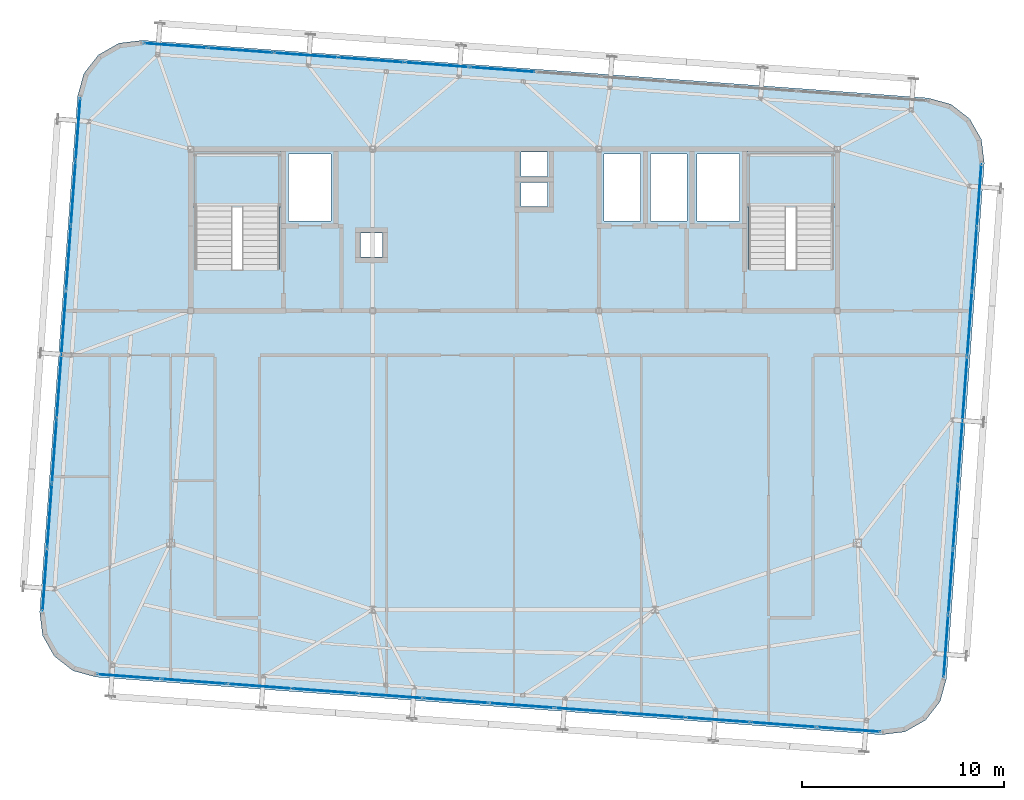
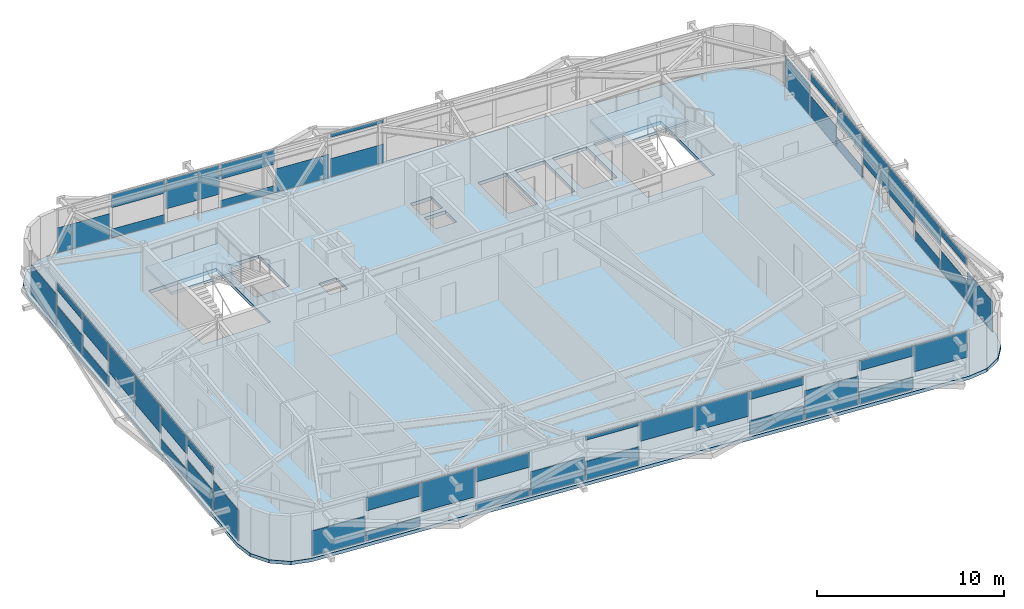
# One storey, part 29 of 42: 50 plates, 3 slabs, 6 elements without a shape of their own.
"""IFC4 building model written with IfcOpenShell, lengths in metres."""

from ifc_helpers import new_model, si_unit, direction, frame, origin, origin_2d, place, context, subcontext, project, spatial, polyline, rectangle, outline, extrude, source, transform, mapped, material, layer, layer_set, type_object, element, aggregate, save


model = new_model("IFC4")

# Units and contexts
model_context = context("Model", 3, precision=1e-05, world=origin(), true_north=direction((0.0, 1.0)))
body_context = subcontext(model_context, "Body", "Model", "MODEL_VIEW")
ifc_project = project(units=[si_unit("LENGTHUNIT", "METRE"), si_unit("AREAUNIT", "SQUARE_METRE"), si_unit("VOLUMEUNIT", "CUBIC_METRE"), si_unit("PLANEANGLEUNIT", "RADIAN"), si_unit("MASSUNIT", "GRAM", prefix="KILO")], contexts=[model_context])

# Site, building, storey
site_placement = place(None, origin())
site = spatial("IfcSite", under=ifc_project, at=site_placement, CompositionType="ELEMENT")
building_placement = place(site_placement, origin())
building = spatial("IfcBuilding", under=site, at=building_placement, Name="Taldren Reach Tower", CompositionType="ELEMENT")
storey_placement = place(building_placement, frame((0.0, 0.0, 220.85009765625)))
storey = spatial("IfcBuildingStorey", under=building, at=storey_placement, Name="L67", CompositionType="ELEMENT", Elevation=220.85009765625)

# Slab
ifc_material_1 = material(Name="Concrete N40 (40 MPa)", Category="concrete")
ifc_layer_1 = layer(ifc_material_1, 0.219970703125)
ifc_layer_set_1 = layer_set([ifc_layer_1], Name="Concrete N40 (40 MPa)")
slab_type_1 = type_object("IfcSlabType", Name="SL-FLR-220", PredefinedType="FLOOR", material=ifc_layer_set_1)
slab_1_placement = place(storey_placement, frame((0.0, 0.0, -0.22021484375)))
element("IfcSlab", 1, at=slab_1_placement, inside=storey, type_object=slab_type_1, Name="Suspended floor slab L67", PredefinedType="FLOOR", context=body_context, shape_type="SweptSolid", body=[
    extrude(outline(polyline([(53.1904296875, 3.014404296875), (54.35205078125, 3.157958984375), (55.370361328125, 3.7353515625), (56.09033203125, 4.658203125), (56.402099609375, 5.78662109375), (58.277099609375, 31.31787109375), (58.13330078125, 32.4794921875), (57.55615234375, 33.497802734375), (56.633056640625, 34.217529296875), (55.5048828125, 34.529541015625), (16.609619140625, 37.3857421875), (15.44775390625, 37.241943359375), (14.429443359375, 36.664794921875), (13.709716796875, 35.74169921875), (13.39794921875, 34.613525390625), (11.52294921875, 9.082275390625), (11.666748046875, 7.920654296875), (12.243896484375, 6.90234375), (13.1669921875, 6.182373046875), (14.295166015625, 5.87060546875), (53.1904296875, 3.014404296875)]), holes=[polyline([(19.219970703125, 26.050048828125), (23.3798828125, 26.050048828125), (23.3798828125, 31.820068359375), (19.219970703125, 31.820068359375), (19.219970703125, 26.050048828125)]), polyline([(46.6201171875, 26.050048828125), (50.780029296875, 26.050048828125), (50.780029296875, 31.820068359375), (46.6201171875, 31.820068359375), (46.6201171875, 26.050048828125)]), polyline([(23.85009765625, 28.449951171875), (25.949951171875, 28.449951171875), (25.949951171875, 31.75), (23.85009765625, 31.75), (23.85009765625, 28.449951171875)]), polyline([(44.050048828125, 28.449951171875), (46.14990234375, 28.449951171875), (46.14990234375, 31.75), (44.050048828125, 31.75), (44.050048828125, 28.449951171875)]), polyline([(39.449951171875, 28.449951171875), (41.25, 28.449951171875), (41.25, 31.75), (39.449951171875, 31.75), (39.449951171875, 28.449951171875)]), polyline([(41.75, 28.449951171875), (43.550048828125, 28.449951171875), (43.550048828125, 31.75), (41.75, 31.75), (41.75, 28.449951171875)]), polyline([(35.35009765625, 30.64990234375), (36.64990234375, 30.64990234375), (36.64990234375, 31.85009765625), (35.35009765625, 31.85009765625), (35.35009765625, 30.64990234375)]), polyline([(35.35009765625, 29.14990234375), (36.64990234375, 29.14990234375), (36.64990234375, 30.35009765625), (35.35009765625, 30.35009765625), (35.35009765625, 29.14990234375)]), polyline([(27.39990234375, 26.64990234375), (28.5, 26.64990234375), (28.5, 27.85009765625), (27.39990234375, 27.85009765625), (27.39990234375, 26.64990234375)])]), origin(), (0.0, 0.0, 1.0), 0.22021484375),
])

# Stair, slab
ifc_material_2 = material(Name="Concrete S50 (50 MPa)", Category="concrete")
stair_type = type_object("IfcStairType", Name="ST-HT-315", PredefinedType="HALF_TURN_STAIR", material=ifc_material_2)
stair_1_placement = place(storey_placement, origin())
stair_1 = element("IfcStair", 2, at=stair_1_placement, inside=storey, type_object=stair_type, Name="Fire-isolated exit stair ST1 L67", PredefinedType="HALF_TURN_STAIR")
ifc_layer_2 = layer(ifc_material_2, 0.179931640625)
ifc_layer_set_2 = layer_set([ifc_layer_2], Name="Concrete S50 (50 MPa)")
slab_type_2 = type_object("IfcSlabType", Name="SL-LAND-180", PredefinedType="LANDING", material=ifc_layer_set_2)
slab_2_placement = place(storey_placement, frame((0.0, 0.0, 1.39501953125)))
slab_2 = element("IfcSlab", 3, at=slab_2_placement, type_object=slab_type_2, Name="ST1 landing 1", PredefinedType="LANDING", context=body_context, shape_type="SweptSolid", body=[
    extrude(outline(polyline([(19.0400390625, 29.135009765625), (23.56005859375, 29.135009765625), (23.56005859375, 31.8701171875), (19.0400390625, 31.8701171875), (19.0400390625, 29.135009765625)])), origin(), (0.0, 0.0, 1.0), 0.179931640625),
])
aggregate(stair_1, [slab_2])

stair_2_placement = place(storey_placement, origin())
stair_2 = element("IfcStair", 4, at=stair_2_placement, inside=storey, type_object=stair_type, Name="Fire-isolated exit stair ST2 L67", PredefinedType="HALF_TURN_STAIR")
slab_3_placement = place(storey_placement, frame((0.0, 0.0, 1.39501953125)))
slab_3 = element("IfcSlab", 5, at=slab_3_placement, type_object=slab_type_2, Name="ST2 landing 1", PredefinedType="LANDING", context=body_context, shape_type="SweptSolid", body=[
    extrude(outline(polyline([(46.43994140625, 29.135009765625), (50.9599609375, 29.135009765625), (50.9599609375, 31.8701171875), (46.43994140625, 31.8701171875), (46.43994140625, 29.135009765625)])), origin(), (0.0, 0.0, 1.0), 0.179931640625),
])
aggregate(stair_2, [slab_3])

# Curtain wall, plate
ifc_material_3 = material(Name="Aluminium and Low-E Glass Unitised System", Category="aluminium")
ifc_layer_3 = layer(ifc_material_3, 0.159912109375)
ifc_layer_set_3 = layer_set([ifc_layer_3], Name="Aluminium and Low-E Glass Unitised System")
curtain_wall_type = type_object("IfcCurtainWallType", Name="CW-SYS-6", PredefinedType="NOTDEFINED", material=ifc_layer_set_3)
curtain_wall_1_placement = place(storey_placement, origin())
curtain_wall_1 = element("IfcCurtainWall", 6, at=curtain_wall_1_placement, inside=storey, type_object=curtain_wall_type, Name="Unitised curtain wall CW-L67-S", PredefinedType="NOTDEFINED")
ifc_material_4 = material(Name="Acoustic Triple-Laminated IGU", Category="glass")
ifc_layer_4 = layer(ifc_material_4, 0.035888671875)
ifc_layer_set_4 = layer_set([ifc_layer_4], Name="Acoustic Triple-Laminated IGU")
plate_type = type_object("IfcPlateType", Name="CW-PNL-IGU36", PredefinedType="CURTAIN_PANEL", material=ifc_layer_set_4)
shared_shape_1 = source(origin(), body_context, "Body", "SweptSolid", [
    extrude(rectangle(XDim=3.137451171875, YDim=0.035888671875, at=origin_2d()), origin(), (0.0, 0.0, 1.0), 1.63037109375),
])
plate_1_placement = place(storey_placement, frame((15.94482421875, 5.889892578125, 0.059814453125), z_axis=(0.0, 0.0, 1.0), x_axis=(0.997314476006, -0.073238213716, 0.0)))
plate_1 = element("IfcPlate", 7, at=plate_1_placement, type_object=plate_type, Name="CW-6 panel 1.1 part 1", PredefinedType="CURTAIN_PANEL", context=body_context, shape_type="MappedRepresentation", body=[
    mapped(shared_shape_1, transform((0.0, 0.0, 0.0), scale=1.0)),
])

curtain_wall_2_placement = place(storey_placement, origin())
curtain_wall_2 = element("IfcCurtainWall", 8, at=curtain_wall_2_placement, inside=storey, type_object=curtain_wall_type, Name="Unitised curtain wall CW-L67-N", PredefinedType="NOTDEFINED")
plate_2_placement = place(storey_placement, frame((18.238525390625, 37.125732421875, 0.059814453125), z_axis=(0.0, 0.0, 1.0), x_axis=(-0.997314476006, 0.073238213716, 0.0)))
plate_2 = element("IfcPlate", 9, at=plate_2_placement, type_object=plate_type, Name="CW-6 panel 12.1 part 1", PredefinedType="CURTAIN_PANEL", context=body_context, shape_type="MappedRepresentation", body=[
    mapped(shared_shape_1, transform((0.0, 0.0, 0.0), scale=1.0)),
])

# Plate
shared_shape_2 = source(origin(), body_context, "Body", "SweptSolid", [
    extrude(rectangle(XDim=3.175048828125, YDim=0.035888671875, at=origin_2d()), origin(), (0.0, 0.0, 1.0), 0.574462890625),
])
plate_3_placement = place(storey_placement, frame((19.16748046875, 5.653076171875, 0.06005859375), z_axis=(0.0, 0.0, 1.0), x_axis=(0.997314476006, -0.073238213716, 0.0)))
plate_3 = element("IfcPlate", 10, at=plate_3_placement, type_object=plate_type, Name="CW-6 panel 2.1 part 1", PredefinedType="CURTAIN_PANEL", context=body_context, shape_type="MappedRepresentation", body=[
    mapped(shared_shape_2, transform((0.0, 0.0, 0.0), scale=1.0)),
])

plate_4_placement = place(storey_placement, frame((21.461181640625, 36.88916015625, 0.06005859375), z_axis=(0.0, 0.0, 1.0), x_axis=(-0.997314476006, 0.073238213716, 0.0)))
plate_4 = element("IfcPlate", 11, at=plate_4_placement, type_object=plate_type, Name="CW-6 panel 11.1 part 1", PredefinedType="CURTAIN_PANEL", context=body_context, shape_type="MappedRepresentation", body=[
    mapped(shared_shape_2, transform((0.0, 0.0, 0.0), scale=1.0)),
])

shared_shape_3 = source(origin(), body_context, "Body", "SweptSolid", [
    extrude(rectangle(XDim=3.175048828125, YDim=0.035888671875, at=origin_2d()), origin(), (0.0, 0.0, 1.0), 0.852294921875),
])
plate_5_placement = place(storey_placement, frame((19.16748046875, 5.653076171875, 2.017578125), z_axis=(0.0, 0.0, 1.0), x_axis=(0.997314476006, -0.073238213716, 0.0)))
plate_5 = element("IfcPlate", 12, at=plate_5_placement, type_object=plate_type, Name="CW-6 panel 2.1 part 2", PredefinedType="CURTAIN_PANEL", context=body_context, shape_type="MappedRepresentation", body=[
    mapped(shared_shape_3, transform((0.0, 0.0, 0.0), scale=1.0)),
])

plate_6_placement = place(storey_placement, frame((21.461181640625, 36.88916015625, 2.017578125), z_axis=(0.0, 0.0, 1.0), x_axis=(-0.997314476006, 0.073238213716, 0.0)))
plate_6 = element("IfcPlate", 13, at=plate_6_placement, type_object=plate_type, Name="CW-6 panel 11.1 part 2", PredefinedType="CURTAIN_PANEL", context=body_context, shape_type="MappedRepresentation", body=[
    mapped(shared_shape_3, transform((0.0, 0.0, 0.0), scale=1.0)),
])

shared_shape_4 = source(origin(), body_context, "Body", "SweptSolid", [
    extrude(rectangle(XDim=3.175048828125, YDim=0.035888671875, at=origin_2d()), origin(), (0.0, 0.0, 1.0), 1.907958984375),
])
plate_7_placement = place(storey_placement, frame((22.40869140625, 5.4150390625, 0.9619140625), z_axis=(0.0, 0.0, 1.0), x_axis=(0.997314476006, -0.073238213716, 0.0)))
plate_7 = element("IfcPlate", 14, at=plate_7_placement, type_object=plate_type, Name="CW-6 panel 3.1 part 1", PredefinedType="CURTAIN_PANEL", context=body_context, shape_type="MappedRepresentation", body=[
    mapped(shared_shape_4, transform((0.0, 0.0, 0.0), scale=1.0)),
])

plate_8_placement = place(storey_placement, frame((24.702392578125, 36.651123046875, 0.9619140625), z_axis=(0.0, 0.0, 1.0), x_axis=(-0.997314476006, 0.073238213716, 0.0)))
plate_8 = element("IfcPlate", 15, at=plate_8_placement, type_object=plate_type, Name="CW-6 panel 10.1 part 1", PredefinedType="CURTAIN_PANEL", context=body_context, shape_type="MappedRepresentation", body=[
    mapped(shared_shape_4, transform((0.0, 0.0, 0.0), scale=1.0)),
])

shared_shape_5 = source(origin(), body_context, "Body", "SweptSolid", [
    extrude(rectangle(XDim=3.175048828125, YDim=0.035888671875, at=origin_2d()), origin(), (0.0, 0.0, 1.0), 0.473876953125),
])
plate_9_placement = place(storey_placement, frame((25.64990234375, 5.177001953125, 0.06005859375), z_axis=(0.0, 0.0, 1.0), x_axis=(0.997314476006, -0.073238213716, 0.0)))
plate_9 = element("IfcPlate", 16, at=plate_9_placement, type_object=plate_type, Name="CW-6 panel 4.1 part 1", PredefinedType="CURTAIN_PANEL", context=body_context, shape_type="MappedRepresentation", body=[
    mapped(shared_shape_5, transform((0.0, 0.0, 0.0), scale=1.0)),
])

plate_10_placement = place(storey_placement, frame((27.94384765625, 36.4130859375, 0.06005859375), z_axis=(0.0, 0.0, 1.0), x_axis=(-0.997314476006, 0.073238213716, 0.0)))
plate_10 = element("IfcPlate", 17, at=plate_10_placement, type_object=plate_type, Name="CW-6 panel 9.1 part 1", PredefinedType="CURTAIN_PANEL", context=body_context, shape_type="MappedRepresentation", body=[
    mapped(shared_shape_5, transform((0.0, 0.0, 0.0), scale=1.0)),
])

shared_shape_6 = source(origin(), body_context, "Body", "SweptSolid", [
    extrude(rectangle(XDim=3.175048828125, YDim=0.035888671875, at=origin_2d()), origin(), (0.0, 0.0, 1.0), 0.952880859375),
])
plate_11_placement = place(storey_placement, frame((25.64990234375, 5.177001953125, 1.9169921875), z_axis=(0.0, 0.0, 1.0), x_axis=(0.997314476006, -0.073238213716, 0.0)))
plate_11 = element("IfcPlate", 18, at=plate_11_placement, type_object=plate_type, Name="CW-6 panel 4.1 part 2", PredefinedType="CURTAIN_PANEL", context=body_context, shape_type="MappedRepresentation", body=[
    mapped(shared_shape_6, transform((0.0, 0.0, 0.0), scale=1.0)),
])

plate_12_placement = place(storey_placement, frame((27.94384765625, 36.4130859375, 1.9169921875), z_axis=(0.0, 0.0, 1.0), x_axis=(-0.997314476006, 0.073238213716, 0.0)))
plate_12 = element("IfcPlate", 19, at=plate_12_placement, type_object=plate_type, Name="CW-6 panel 9.1 part 2", PredefinedType="CURTAIN_PANEL", context=body_context, shape_type="MappedRepresentation", body=[
    mapped(shared_shape_6, transform((0.0, 0.0, 0.0), scale=1.0)),
])

shared_shape_7 = source(origin(), body_context, "Body", "SweptSolid", [
    extrude(rectangle(XDim=3.175048828125, YDim=0.035888671875, at=origin_2d()), origin(), (0.0, 0.0, 1.0), 1.52978515625),
])
plate_13_placement = place(storey_placement, frame((28.89111328125, 4.939208984375, 0.059814453125), z_axis=(0.0, 0.0, 1.0), x_axis=(0.997314476006, -0.073238213716, 0.0)))
plate_13 = element("IfcPlate", 20, at=plate_13_placement, type_object=plate_type, Name="CW-6 panel 5.1 part 1", PredefinedType="CURTAIN_PANEL", context=body_context, shape_type="MappedRepresentation", body=[
    mapped(shared_shape_7, transform((0.0, 0.0, 0.0), scale=1.0)),
])

plate_14_placement = place(storey_placement, frame((31.18505859375, 36.175048828125, 0.059814453125), z_axis=(0.0, 0.0, 1.0), x_axis=(-0.997314476006, 0.073238213716, 0.0)))
plate_14 = element("IfcPlate", 21, at=plate_14_placement, type_object=plate_type, Name="CW-6 panel 8.1 part 1", PredefinedType="CURTAIN_PANEL", context=body_context, shape_type="MappedRepresentation", body=[
    mapped(shared_shape_7, transform((0.0, 0.0, 0.0), scale=1.0)),
])

shared_shape_8 = source(origin(), body_context, "Body", "SweptSolid", [
    extrude(rectangle(XDim=3.175048828125, YDim=0.035888671875, at=origin_2d()), origin(), (0.0, 0.0, 1.0), 1.21142578125),
])
plate_15_placement = place(storey_placement, frame((32.132568359375, 4.701171875, 0.059814453125), z_axis=(0.0, 0.0, 1.0), x_axis=(0.997314476006, -0.073238213716, 0.0)))
plate_15 = element("IfcPlate", 22, at=plate_15_placement, type_object=plate_type, Name="CW-6 panel 6.1 part 1", PredefinedType="CURTAIN_PANEL", context=body_context, shape_type="MappedRepresentation", body=[
    mapped(shared_shape_8, transform((0.0, 0.0, 0.0), scale=1.0)),
])

plate_16_placement = place(storey_placement, frame((34.42626953125, 35.93701171875, 0.059814453125), z_axis=(0.0, 0.0, 1.0), x_axis=(-0.997314476006, 0.073238213716, 0.0)))
plate_16 = element("IfcPlate", 23, at=plate_16_placement, type_object=plate_type, Name="CW-6 panel 7.1 part 1", PredefinedType="CURTAIN_PANEL", context=body_context, shape_type="MappedRepresentation", body=[
    mapped(shared_shape_8, transform((0.0, 0.0, 0.0), scale=1.0)),
])

shared_shape_9 = source(origin(), body_context, "Body", "SweptSolid", [
    extrude(rectangle(XDim=3.175048828125, YDim=0.035888671875, at=origin_2d()), origin(), (0.0, 0.0, 1.0), 0.215576171875),
])
plate_17_placement = place(storey_placement, frame((32.132568359375, 4.701171875, 2.654296875), z_axis=(0.0, 0.0, 1.0), x_axis=(0.997314476006, -0.073238213716, 0.0)))
plate_17 = element("IfcPlate", 24, at=plate_17_placement, type_object=plate_type, Name="CW-6 panel 6.1 part 2", PredefinedType="CURTAIN_PANEL", context=body_context, shape_type="MappedRepresentation", body=[
    mapped(shared_shape_9, transform((0.0, 0.0, 0.0), scale=1.0)),
])

plate_18_placement = place(storey_placement, frame((34.42626953125, 35.93701171875, 2.654296875), z_axis=(0.0, 0.0, 1.0), x_axis=(-0.997314476006, 0.073238213716, 0.0)))
plate_18 = element("IfcPlate", 25, at=plate_18_placement, type_object=plate_type, Name="CW-6 panel 7.1 part 2", PredefinedType="CURTAIN_PANEL", context=body_context, shape_type="MappedRepresentation", body=[
    mapped(shared_shape_9, transform((0.0, 0.0, 0.0), scale=1.0)),
])

aggregate(curtain_wall_2, [plate_16, plate_18, plate_14, plate_10, plate_12, plate_8, plate_4, plate_6, plate_2])

shared_shape_10 = source(origin(), body_context, "Body", "SweptSolid", [
    extrude(rectangle(XDim=3.175048828125, YDim=0.035888671875, at=origin_2d()), origin(), (0.0, 0.0, 1.0), 1.271240234375),
])
plate_19_placement = place(storey_placement, frame((35.373779296875, 4.463134765625, 1.5986328125), z_axis=(0.0, 0.0, 1.0), x_axis=(0.997314476006, -0.073238213716, 0.0)))
plate_19 = element("IfcPlate", 26, at=plate_19_placement, type_object=plate_type, Name="CW-6 panel 7.1 part 1", PredefinedType="CURTAIN_PANEL", context=body_context, shape_type="MappedRepresentation", body=[
    mapped(shared_shape_10, transform((0.0, 0.0, 0.0), scale=1.0)),
])

shared_shape_11 = source(origin(), body_context, "Body", "SweptSolid", [
    extrude(rectangle(XDim=3.175048828125, YDim=0.035888671875, at=origin_2d()), origin(), (0.0, 0.0, 1.0), 1.589599609375),
])
plate_20_placement = place(storey_placement, frame((38.614990234375, 4.22509765625, 1.2802734375), z_axis=(0.0, 0.0, 1.0), x_axis=(0.997314476006, -0.073238213716, 0.0)))
plate_20 = element("IfcPlate", 27, at=plate_20_placement, type_object=plate_type, Name="CW-6 panel 8.1 part 1", PredefinedType="CURTAIN_PANEL", context=body_context, shape_type="MappedRepresentation", body=[
    mapped(shared_shape_11, transform((0.0, 0.0, 0.0), scale=1.0)),
])

shared_shape_12 = source(origin(), body_context, "Body", "SweptSolid", [
    extrude(rectangle(XDim=3.175048828125, YDim=0.035888671875, at=origin_2d()), origin(), (0.0, 0.0, 1.0), 0.89306640625),
])
plate_21_placement = place(storey_placement, frame((41.856201171875, 3.987060546875, 0.059814453125), z_axis=(0.0, 0.0, 1.0), x_axis=(0.997314476006, -0.073238213716, 0.0)))
plate_21 = element("IfcPlate", 28, at=plate_21_placement, type_object=plate_type, Name="CW-6 panel 9.1 part 1", PredefinedType="CURTAIN_PANEL", context=body_context, shape_type="MappedRepresentation", body=[
    mapped(shared_shape_12, transform((0.0, 0.0, 0.0), scale=1.0)),
])

shared_shape_13 = source(origin(), body_context, "Body", "SweptSolid", [
    extrude(rectangle(XDim=3.175048828125, YDim=0.035888671875, at=origin_2d()), origin(), (0.0, 0.0, 1.0), 0.533935546875),
])
plate_22_placement = place(storey_placement, frame((41.856201171875, 3.987060546875, 2.3359375), z_axis=(0.0, 0.0, 1.0), x_axis=(0.997314476006, -0.073238213716, 0.0)))
plate_22 = element("IfcPlate", 29, at=plate_22_placement, type_object=plate_type, Name="CW-6 panel 9.1 part 2", PredefinedType="CURTAIN_PANEL", context=body_context, shape_type="MappedRepresentation", body=[
    mapped(shared_shape_13, transform((0.0, 0.0, 0.0), scale=1.0)),
])

shared_shape_14 = source(origin(), body_context, "Body", "SweptSolid", [
    extrude(rectangle(XDim=3.175048828125, YDim=0.035888671875, at=origin_2d()), origin(), (0.0, 0.0, 1.0), 1.84814453125),
])
plate_23_placement = place(storey_placement, frame((45.09765625, 3.7490234375, 0.059814453125), z_axis=(0.0, 0.0, 1.0), x_axis=(0.997314476006, -0.073238213716, 0.0)))
plate_23 = element("IfcPlate", 30, at=plate_23_placement, type_object=plate_type, Name="CW-6 panel 10.1 part 1", PredefinedType="CURTAIN_PANEL", context=body_context, shape_type="MappedRepresentation", body=[
    mapped(shared_shape_14, transform((0.0, 0.0, 0.0), scale=1.0)),
])

shared_shape_15 = source(origin(), body_context, "Body", "SweptSolid", [
    extrude(rectangle(XDim=3.175048828125, YDim=0.035888671875, at=origin_2d()), origin(), (0.0, 0.0, 1.0), 0.792236328125),
])
plate_24_placement = place(storey_placement, frame((48.3388671875, 3.510986328125, 0.06005859375), z_axis=(0.0, 0.0, 1.0), x_axis=(0.997314476006, -0.073238213716, 0.0)))
plate_24 = element("IfcPlate", 31, at=plate_24_placement, type_object=plate_type, Name="CW-6 panel 11.1 part 1", PredefinedType="CURTAIN_PANEL", context=body_context, shape_type="MappedRepresentation", body=[
    mapped(shared_shape_15, transform((0.0, 0.0, 0.0), scale=1.0)),
])

shared_shape_16 = source(origin(), body_context, "Body", "SweptSolid", [
    extrude(rectangle(XDim=3.175048828125, YDim=0.035888671875, at=origin_2d()), origin(), (0.0, 0.0, 1.0), 0.634521484375),
])
plate_25_placement = place(storey_placement, frame((48.3388671875, 3.510986328125, 2.2353515625), z_axis=(0.0, 0.0, 1.0), x_axis=(0.997314476006, -0.073238213716, 0.0)))
plate_25 = element("IfcPlate", 32, at=plate_25_placement, type_object=plate_type, Name="CW-6 panel 11.1 part 2", PredefinedType="CURTAIN_PANEL", context=body_context, shape_type="MappedRepresentation", body=[
    mapped(shared_shape_16, transform((0.0, 0.0, 0.0), scale=1.0)),
])

shared_shape_17 = source(origin(), body_context, "Body", "SweptSolid", [
    extrude(rectangle(XDim=3.137451171875, YDim=0.035888671875, at=origin_2d()), origin(), (0.0, 0.0, 1.0), 1.6904296875),
])
plate_26_placement = place(storey_placement, frame((51.561279296875, 3.2744140625, 1.179443359375), z_axis=(0.0, 0.0, 1.0), x_axis=(0.997314476006, -0.073238213716, 0.0)))
plate_26 = element("IfcPlate", 33, at=plate_26_placement, type_object=plate_type, Name="CW-6 panel 12.1 part 1", PredefinedType="CURTAIN_PANEL", context=body_context, shape_type="MappedRepresentation", body=[
    mapped(shared_shape_17, transform((0.0, 0.0, 0.0), scale=1.0)),
])

aggregate(curtain_wall_1, [plate_1, plate_3, plate_5, plate_7, plate_9, plate_11, plate_13, plate_15, plate_17, plate_19, plate_20, plate_21, plate_22, plate_23, plate_24, plate_25, plate_26])

# Curtain wall, plates
curtain_wall_3_placement = place(storey_placement, origin())
curtain_wall_3 = element("IfcCurtainWall", 34, at=curtain_wall_3_placement, inside=storey, type_object=curtain_wall_type, Name="Unitised curtain wall CW-L67-W", PredefinedType="NOTDEFINED")
shared_shape_18 = source(origin(), body_context, "Body", "SweptSolid", [
    extrude(rectangle(XDim=3.08740234375, YDim=0.035888671875, at=origin_2d()), origin(), (0.0, 0.0, 1.0), 2.0078125),
])
plate_27_placement = place(storey_placement, frame((13.4189453125, 32.98876953125, 0.059814453125), z_axis=(0.0, 0.0, 1.0), x_axis=(-0.073238282558, -0.997314470951, 0.0)))
plate_27 = element("IfcPlate", 35, at=plate_27_placement, type_object=plate_type, Name="CW-6 panel 1.1 part 1", PredefinedType="CURTAIN_PANEL", context=body_context, shape_type="MappedRepresentation", body=[
    mapped(shared_shape_18, transform((0.0, 0.0, 0.0), scale=1.0)),
])
plate_28_placement = place(storey_placement, frame((11.78125, 10.686279296875, 0.059814453125), z_axis=(0.0, 0.0, 1.0), x_axis=(-0.073238282558, -0.997314470951, 0.0)))
plate_28 = element("IfcPlate", 36, at=plate_28_placement, type_object=plate_type, Name="CW-6 panel 8.1 part 1", PredefinedType="CURTAIN_PANEL", context=body_context, shape_type="MappedRepresentation", body=[
    mapped(shared_shape_18, transform((0.0, 0.0, 0.0), scale=1.0)),
])

curtain_wall_4_placement = place(storey_placement, origin())
curtain_wall_4 = element("IfcCurtainWall", 37, at=curtain_wall_4_placement, inside=storey, type_object=curtain_wall_type, Name="Unitised curtain wall CW-L67-E", PredefinedType="NOTDEFINED")
plate_29_placement = place(storey_placement, frame((56.381103515625, 7.4111328125, 0.059814453125), z_axis=(0.0, 0.0, 1.0), x_axis=(0.073238282558, 0.997314470951, 0.0)))
plate_29 = element("IfcPlate", 38, at=plate_29_placement, type_object=plate_type, Name="CW-6 panel 1.1 part 1", PredefinedType="CURTAIN_PANEL", context=body_context, shape_type="MappedRepresentation", body=[
    mapped(shared_shape_18, transform((0.0, 0.0, 0.0), scale=1.0)),
])
plate_30_placement = place(storey_placement, frame((58.018798828125, 29.713623046875, 0.059814453125), z_axis=(0.0, 0.0, 1.0), x_axis=(0.073238282558, 0.997314470951, 0.0)))
plate_30 = element("IfcPlate", 39, at=plate_30_placement, type_object=plate_type, Name="CW-6 panel 8.1 part 1", PredefinedType="CURTAIN_PANEL", context=body_context, shape_type="MappedRepresentation", body=[
    mapped(shared_shape_18, transform((0.0, 0.0, 0.0), scale=1.0)),
])

# Plate
shared_shape_19 = source(origin(), body_context, "Body", "SweptSolid", [
    extrude(rectangle(XDim=3.125, YDim=0.035888671875, at=origin_2d()), origin(), (0.0, 0.0, 1.0), 1.33740234375),
])
plate_31_placement = place(storey_placement, frame((13.18603515625, 29.816162109375, 0.06005859375), z_axis=(0.0, 0.0, 1.0), x_axis=(-0.073238282558, -0.997314470951, 0.0)))
plate_31 = element("IfcPlate", 40, at=plate_31_placement, type_object=plate_type, Name="CW-6 panel 2.1 part 1", PredefinedType="CURTAIN_PANEL", context=body_context, shape_type="MappedRepresentation", body=[
    mapped(shared_shape_19, transform((0.0, 0.0, 0.0), scale=1.0)),
])

plate_32_placement = place(storey_placement, frame((12.01416015625, 13.859130859375, 0.06005859375), z_axis=(0.0, 0.0, 1.0), x_axis=(-0.073238282558, -0.997314470951, 0.0)))
plate_32 = element("IfcPlate", 41, at=plate_32_placement, type_object=plate_type, Name="CW-6 panel 7.1 part 1", PredefinedType="CURTAIN_PANEL", context=body_context, shape_type="MappedRepresentation", body=[
    mapped(shared_shape_19, transform((0.0, 0.0, 0.0), scale=1.0)),
])

plate_33_placement = place(storey_placement, frame((56.614013671875, 10.583984375, 0.06005859375), z_axis=(0.0, 0.0, 1.0), x_axis=(0.073238282558, 0.997314470951, 0.0)))
plate_33 = element("IfcPlate", 42, at=plate_33_placement, type_object=plate_type, Name="CW-6 panel 2.1 part 1", PredefinedType="CURTAIN_PANEL", context=body_context, shape_type="MappedRepresentation", body=[
    mapped(shared_shape_19, transform((0.0, 0.0, 0.0), scale=1.0)),
])

plate_34_placement = place(storey_placement, frame((57.785888671875, 26.541015625, 0.06005859375), z_axis=(0.0, 0.0, 1.0), x_axis=(0.073238282558, 0.997314470951, 0.0)))
plate_34 = element("IfcPlate", 43, at=plate_34_placement, type_object=plate_type, Name="CW-6 panel 7.1 part 1", PredefinedType="CURTAIN_PANEL", context=body_context, shape_type="MappedRepresentation", body=[
    mapped(shared_shape_19, transform((0.0, 0.0, 0.0), scale=1.0)),
])

shared_shape_20 = source(origin(), body_context, "Body", "SweptSolid", [
    extrude(rectangle(XDim=3.125, YDim=0.035888671875, at=origin_2d()), origin(), (0.0, 0.0, 1.0), 0.475830078125),
])
plate_35_placement = place(storey_placement, frame((13.18603515625, 29.816162109375, 2.39404296875), z_axis=(0.0, 0.0, 1.0), x_axis=(-0.073238282558, -0.997314470951, 0.0)))
plate_35 = element("IfcPlate", 44, at=plate_35_placement, type_object=plate_type, Name="CW-6 panel 2.1 part 2", PredefinedType="CURTAIN_PANEL", context=body_context, shape_type="MappedRepresentation", body=[
    mapped(shared_shape_20, transform((0.0, 0.0, 0.0), scale=1.0)),
])

plate_36_placement = place(storey_placement, frame((12.01416015625, 13.859130859375, 2.39404296875), z_axis=(0.0, 0.0, 1.0), x_axis=(-0.073238282558, -0.997314470951, 0.0)))
plate_36 = element("IfcPlate", 45, at=plate_36_placement, type_object=plate_type, Name="CW-6 panel 7.1 part 2", PredefinedType="CURTAIN_PANEL", context=body_context, shape_type="MappedRepresentation", body=[
    mapped(shared_shape_20, transform((0.0, 0.0, 0.0), scale=1.0)),
])

plate_37_placement = place(storey_placement, frame((56.614013671875, 10.583984375, 2.39404296875), z_axis=(0.0, 0.0, 1.0), x_axis=(0.073238282558, 0.997314470951, 0.0)))
plate_37 = element("IfcPlate", 46, at=plate_37_placement, type_object=plate_type, Name="CW-6 panel 2.1 part 2", PredefinedType="CURTAIN_PANEL", context=body_context, shape_type="MappedRepresentation", body=[
    mapped(shared_shape_20, transform((0.0, 0.0, 0.0), scale=1.0)),
])

plate_38_placement = place(storey_placement, frame((57.785888671875, 26.541015625, 2.39404296875), z_axis=(0.0, 0.0, 1.0), x_axis=(0.073238282558, 0.997314470951, 0.0)))
plate_38 = element("IfcPlate", 47, at=plate_38_placement, type_object=plate_type, Name="CW-6 panel 7.1 part 2", PredefinedType="CURTAIN_PANEL", context=body_context, shape_type="MappedRepresentation", body=[
    mapped(shared_shape_20, transform((0.0, 0.0, 0.0), scale=1.0)),
])

shared_shape_21 = source(origin(), body_context, "Body", "SweptSolid", [
    extrude(rectangle(XDim=3.125, YDim=0.035888671875, at=origin_2d()), origin(), (0.0, 0.0, 1.0), 0.667236328125),
])
plate_39_placement = place(storey_placement, frame((12.95166015625, 26.624755859375, 0.06005859375), z_axis=(0.0, 0.0, 1.0), x_axis=(-0.073238282558, -0.997314470951, 0.0)))
plate_39 = element("IfcPlate", 48, at=plate_39_placement, type_object=plate_type, Name="CW-6 panel 3.1 part 1", PredefinedType="CURTAIN_PANEL", context=body_context, shape_type="MappedRepresentation", body=[
    mapped(shared_shape_21, transform((0.0, 0.0, 0.0), scale=1.0)),
])

plate_40_placement = place(storey_placement, frame((12.24853515625, 17.050537109375, 0.06005859375), z_axis=(0.0, 0.0, 1.0), x_axis=(-0.073238282558, -0.997314470951, 0.0)))
plate_40 = element("IfcPlate", 49, at=plate_40_placement, type_object=plate_type, Name="CW-6 panel 6.1 part 1", PredefinedType="CURTAIN_PANEL", context=body_context, shape_type="MappedRepresentation", body=[
    mapped(shared_shape_21, transform((0.0, 0.0, 0.0), scale=1.0)),
])

plate_41_placement = place(storey_placement, frame((56.848388671875, 13.775390625, 0.06005859375), z_axis=(0.0, 0.0, 1.0), x_axis=(0.073238282558, 0.997314470951, 0.0)))
plate_41 = element("IfcPlate", 50, at=plate_41_placement, type_object=plate_type, Name="CW-6 panel 3.1 part 1", PredefinedType="CURTAIN_PANEL", context=body_context, shape_type="MappedRepresentation", body=[
    mapped(shared_shape_21, transform((0.0, 0.0, 0.0), scale=1.0)),
])

plate_42_placement = place(storey_placement, frame((57.551513671875, 23.349609375, 0.06005859375), z_axis=(0.0, 0.0, 1.0), x_axis=(0.073238282558, 0.997314470951, 0.0)))
plate_42 = element("IfcPlate", 51, at=plate_42_placement, type_object=plate_type, Name="CW-6 panel 6.1 part 1", PredefinedType="CURTAIN_PANEL", context=body_context, shape_type="MappedRepresentation", body=[
    mapped(shared_shape_21, transform((0.0, 0.0, 0.0), scale=1.0)),
])

shared_shape_22 = source(origin(), body_context, "Body", "SweptSolid", [
    extrude(rectangle(XDim=3.125, YDim=0.035888671875, at=origin_2d()), origin(), (0.0, 0.0, 1.0), 1.146240234375),
])
plate_43_placement = place(storey_placement, frame((12.95166015625, 26.624755859375, 1.7236328125), z_axis=(0.0, 0.0, 1.0), x_axis=(-0.073238282558, -0.997314470951, 0.0)))
plate_43 = element("IfcPlate", 52, at=plate_43_placement, type_object=plate_type, Name="CW-6 panel 3.1 part 2", PredefinedType="CURTAIN_PANEL", context=body_context, shape_type="MappedRepresentation", body=[
    mapped(shared_shape_22, transform((0.0, 0.0, 0.0), scale=1.0)),
])

plate_44_placement = place(storey_placement, frame((12.24853515625, 17.050537109375, 1.7236328125), z_axis=(0.0, 0.0, 1.0), x_axis=(-0.073238282558, -0.997314470951, 0.0)))
plate_44 = element("IfcPlate", 53, at=plate_44_placement, type_object=plate_type, Name="CW-6 panel 6.1 part 2", PredefinedType="CURTAIN_PANEL", context=body_context, shape_type="MappedRepresentation", body=[
    mapped(shared_shape_22, transform((0.0, 0.0, 0.0), scale=1.0)),
])

plate_45_placement = place(storey_placement, frame((56.848388671875, 13.775390625, 1.7236328125), z_axis=(0.0, 0.0, 1.0), x_axis=(0.073238282558, 0.997314470951, 0.0)))
plate_45 = element("IfcPlate", 54, at=plate_45_placement, type_object=plate_type, Name="CW-6 panel 3.1 part 2", PredefinedType="CURTAIN_PANEL", context=body_context, shape_type="MappedRepresentation", body=[
    mapped(shared_shape_22, transform((0.0, 0.0, 0.0), scale=1.0)),
])

plate_46_placement = place(storey_placement, frame((57.551513671875, 23.349609375, 1.7236328125), z_axis=(0.0, 0.0, 1.0), x_axis=(0.073238282558, 0.997314470951, 0.0)))
plate_46 = element("IfcPlate", 55, at=plate_46_placement, type_object=plate_type, Name="CW-6 panel 6.1 part 2", PredefinedType="CURTAIN_PANEL", context=body_context, shape_type="MappedRepresentation", body=[
    mapped(shared_shape_22, transform((0.0, 0.0, 0.0), scale=1.0)),
])

shared_shape_23 = source(origin(), body_context, "Body", "SweptSolid", [
    extrude(rectangle(XDim=3.125, YDim=0.035888671875, at=origin_2d()), origin(), (0.0, 0.0, 1.0), 1.81640625),
])
plate_47_placement = place(storey_placement, frame((12.71728515625, 23.433349609375, 1.053466796875), z_axis=(0.0, 0.0, 1.0), x_axis=(-0.073238282558, -0.997314470951, 0.0)))
plate_47 = element("IfcPlate", 56, at=plate_47_placement, type_object=plate_type, Name="CW-6 panel 4.1 part 1", PredefinedType="CURTAIN_PANEL", context=body_context, shape_type="MappedRepresentation", body=[
    mapped(shared_shape_23, transform((0.0, 0.0, 0.0), scale=1.0)),
])

plate_48_placement = place(storey_placement, frame((12.48291015625, 20.241943359375, 1.053466796875), z_axis=(0.0, 0.0, 1.0), x_axis=(-0.073238282558, -0.997314470951, 0.0)))
plate_48 = element("IfcPlate", 57, at=plate_48_placement, type_object=plate_type, Name="CW-6 panel 5.1 part 1", PredefinedType="CURTAIN_PANEL", context=body_context, shape_type="MappedRepresentation", body=[
    mapped(shared_shape_23, transform((0.0, 0.0, 0.0), scale=1.0)),
])

aggregate(curtain_wall_3, [plate_27, plate_31, plate_35, plate_39, plate_43, plate_47, plate_48, plate_40, plate_44, plate_32, plate_36, plate_28])

plate_49_placement = place(storey_placement, frame((57.082763671875, 16.966796875, 1.053466796875), z_axis=(0.0, 0.0, 1.0), x_axis=(0.073238282558, 0.997314470951, 0.0)))
plate_49 = element("IfcPlate", 58, at=plate_49_placement, type_object=plate_type, Name="CW-6 panel 4.1 part 1", PredefinedType="CURTAIN_PANEL", context=body_context, shape_type="MappedRepresentation", body=[
    mapped(shared_shape_23, transform((0.0, 0.0, 0.0), scale=1.0)),
])

plate_50_placement = place(storey_placement, frame((57.317138671875, 20.158203125, 1.053466796875), z_axis=(0.0, 0.0, 1.0), x_axis=(0.073238282558, 0.997314470951, 0.0)))
plate_50 = element("IfcPlate", 59, at=plate_50_placement, type_object=plate_type, Name="CW-6 panel 5.1 part 1", PredefinedType="CURTAIN_PANEL", context=body_context, shape_type="MappedRepresentation", body=[
    mapped(shared_shape_23, transform((0.0, 0.0, 0.0), scale=1.0)),
])

aggregate(curtain_wall_4, [plate_29, plate_33, plate_37, plate_41, plate_45, plate_49, plate_50, plate_42, plate_46, plate_34, plate_38, plate_30])

save(model, "model.ifc")
